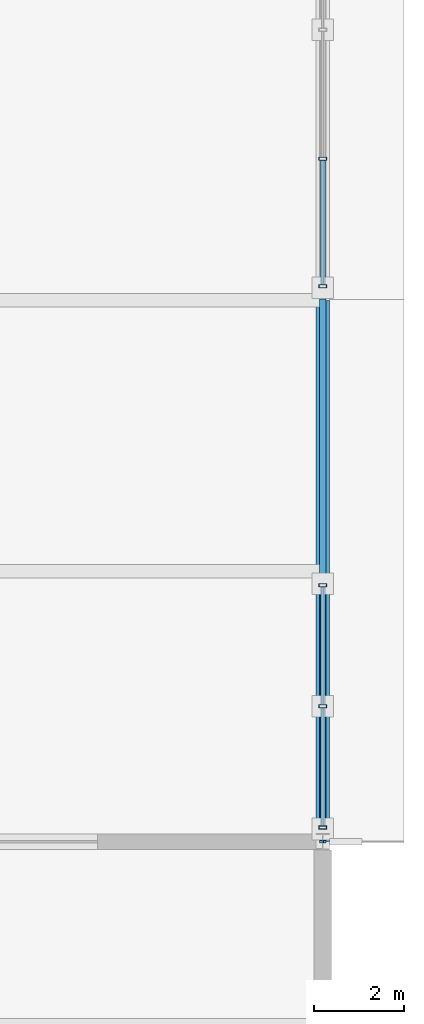
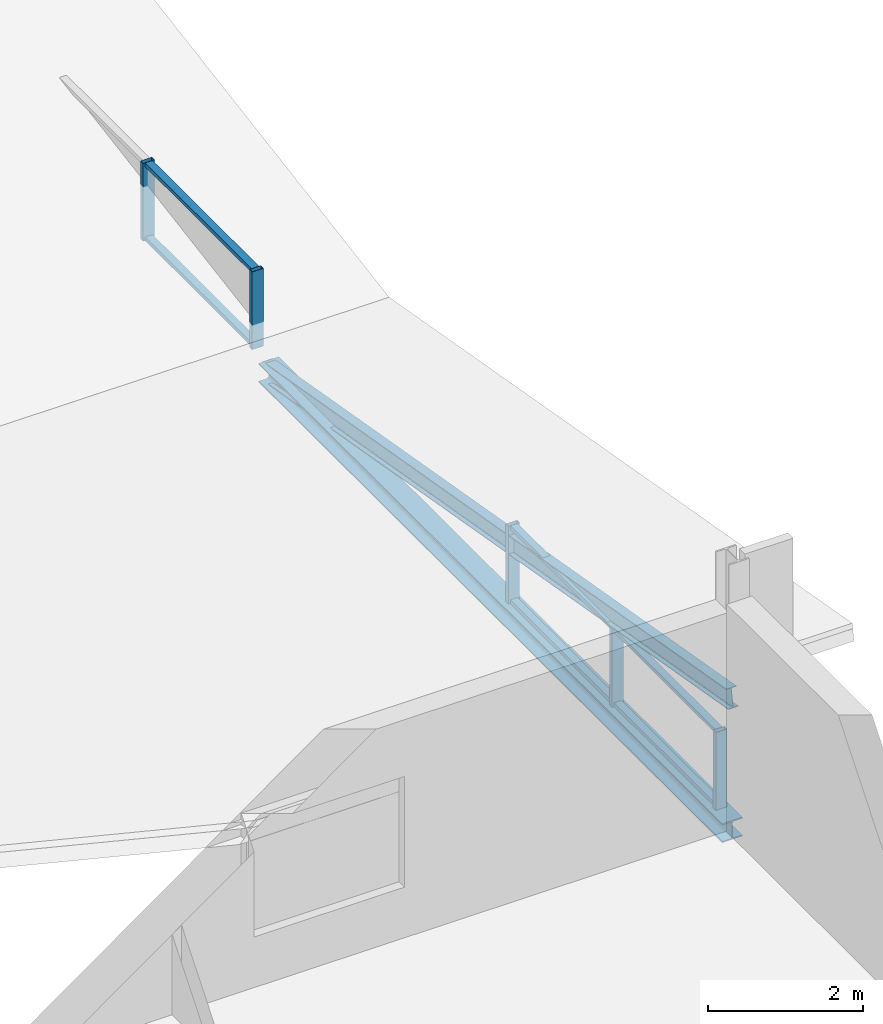
# One storey, part 86 of 117: 12 members, 1 beam, 2 elements without a shape of their own.
"""IFC4 building model written with IfcOpenShell, lengths in metres."""

from ifc_helpers import new_model, si_unit, direction, frame, origin, origin_2d, place, context, subcontext, project, spatial, hollow_rectangle, i_section, extrude, material, material_profile, profile_set, type_object, element, aggregate, save


model = new_model("IFC4")

# Units and contexts
model_context = context("Model", 3, precision=1e-05, world=origin(), true_north=direction((0.0, 1.0)))
body_context = subcontext(model_context, "Body", "Model", "MODEL_VIEW")
ifc_project = project(units=[si_unit("LENGTHUNIT", "METRE"), si_unit("AREAUNIT", "SQUARE_METRE"), si_unit("VOLUMEUNIT", "CUBIC_METRE"), si_unit("PLANEANGLEUNIT", "RADIAN"), si_unit("MASSUNIT", "GRAM", prefix="KILO")], contexts=[model_context])

# Site, building, storey
site_placement = place(None, origin())
site = spatial("IfcSite", under=ifc_project, at=site_placement, CompositionType="ELEMENT")
building_placement = place(site_placement, origin())
building = spatial("IfcBuilding", under=site, at=building_placement, Name="Merenkruunu Market Hall", CompositionType="ELEMENT")
storey_placement = place(building_placement, frame((0.0, 0.0, 10.199951171875)))
storey = spatial("IfcBuildingStorey", under=building, at=storey_placement, Name="L02", CompositionType="ELEMENT", Elevation=10.199951171875)

# Curtain wall, members
ifc_material_1 = material(Name="Powder-coated aluminium", Category="aluminium")
curtain_wall_type = type_object("IfcCurtainWallType", Name="Clerestory Curtain Band CL03", PredefinedType="USERDEFINED", material=ifc_material_1)
curtain_wall_1_placement = place(storey_placement, origin())
curtain_wall_1 = element("IfcCurtainWall", 1, at=curtain_wall_1_placement, inside=storey, type_object=curtain_wall_type, Name="CW-L02-CWM04-233", ObjectType="CLERESTORY_BAND", PredefinedType="USERDEFINED")
ifc_material_profile_1 = material_profile(ifc_material_1, hollow_rectangle(XDim=0.070068359375, YDim=0.169921875, WallThickness=0.0048828125, at=origin_2d()), Name="ALU 70x170x5")
ifc_profile_set_1 = profile_set([ifc_material_profile_1], Name="Powder-coated aluminium")
member_type_1 = type_object("IfcMemberType", Name="Curtain Wall Mullion CWM04", PredefinedType="MULLION", material=ifc_profile_set_1)
member_1_placement = place(storey_placement, frame((192.0, 45.284912109375, 0.02001953125), z_axis=(0.0, 0.0, 1.0), x_axis=(0.0, -1.0, 0.0)))
member_1 = element("IfcMember", 2, at=member_1_placement, type_object=member_type_1, Name="CL03 mullion 1", PredefinedType="MULLION", context=body_context, shape_type="SweptSolid", body=[
    extrude(hollow_rectangle(XDim=0.070068359375, YDim=0.169921875, WallThickness=0.0048828125, at=origin_2d()), origin(), (0.0, 0.0, 1.0), 1.22998046875),
])
member_2_placement = place(storey_placement, frame((192.0, 42.60009765625, 0.02001953125), z_axis=(0.0, 0.0, 1.0), x_axis=(0.0, -1.0, 0.0)))
member_2 = element("IfcMember", 3, at=member_2_placement, type_object=member_type_1, Name="CL03 mullion 2", PredefinedType="MULLION", context=body_context, shape_type="SweptSolid", body=[
    extrude(hollow_rectangle(XDim=0.070068359375, YDim=0.169921875, WallThickness=0.0048828125, at=origin_2d()), origin(), (0.0, 0.0, 1.0), 1.22998046875),
])
member_3_placement = place(storey_placement, frame((192.0, 39.9150390625, 0.02001953125), z_axis=(0.0, 0.0, 1.0), x_axis=(0.0, -1.0, 0.0)))
member_3 = element("IfcMember", 4, at=member_3_placement, type_object=member_type_1, Name="CL03 mullion 3", PredefinedType="MULLION", context=body_context, shape_type="SweptSolid", body=[
    extrude(hollow_rectangle(XDim=0.070068359375, YDim=0.169921875, WallThickness=0.0048828125, at=origin_2d()), origin(), (0.0, 0.0, 1.0), 1.22998046875),
])

curtain_wall_2_placement = place(storey_placement, origin())
curtain_wall_2 = element("IfcCurtainWall", 5, at=curtain_wall_2_placement, inside=storey, type_object=curtain_wall_type, Name="CW-L02-CWM04-235", ObjectType="CLERESTORY_BAND", PredefinedType="USERDEFINED")
member_4_placement = place(storey_placement, frame((192.0, 54.739990234375, 0.02001953125), z_axis=(0.0, 0.0, 1.0), x_axis=(0.0, -1.0, 0.0)))
member_4 = element("IfcMember", 6, at=member_4_placement, type_object=member_type_1, Name="CL03 mullion 4", PredefinedType="MULLION", context=body_context, shape_type="SweptSolid", body=[
    extrude(hollow_rectangle(XDim=0.070068359375, YDim=0.169921875, WallThickness=0.0048828125, at=origin_2d()), origin(), (0.0, 0.0, 1.0), 1.22998046875),
])
member_5_placement = place(storey_placement, frame((192.0, 51.9150390625, 0.02001953125), z_axis=(0.0, 0.0, 1.0), x_axis=(0.0, -1.0, 0.0)))
member_5 = element("IfcMember", 7, at=member_5_placement, type_object=member_type_1, Name="CL03 mullion 5", PredefinedType="MULLION", context=body_context, shape_type="SweptSolid", body=[
    extrude(hollow_rectangle(XDim=0.070068359375, YDim=0.169921875, WallThickness=0.0048828125, at=origin_2d()), origin(), (0.0, 0.0, 1.0), 1.22998046875),
])

# Member
ifc_material_profile_2 = material_profile(ifc_material_1, hollow_rectangle(XDim=0.06005859375, YDim=0.110107421875, WallThickness=0.00390625, at=origin_2d()), Name="ALU 60x110x4")
ifc_profile_set_2 = profile_set([ifc_material_profile_2], Name="Powder-coated aluminium")
member_type_2 = type_object("IfcMemberType", Name="Curtain Wall Transom CWT03", PredefinedType="USERDEFINED", material=ifc_profile_set_2)
member_6_placement = place(storey_placement, frame((192.0, 45.25, 0.050048828125), z_axis=(0.0, -1.0, 0.0), x_axis=(0.0, 0.0, 1.0)))
member_6 = element("IfcMember", 8, at=member_6_placement, type_object=member_type_2, Name="CL03 transom 1.1", ObjectType="TRANSOM", PredefinedType="USERDEFINED", context=body_context, shape_type="SweptSolid", body=[
    extrude(hollow_rectangle(XDim=0.06005859375, YDim=0.110107421875, WallThickness=0.00390625, at=origin_2d()), origin(), (0.0, 0.0, 1.0), 2.614990234375),
])

member_7_placement = place(storey_placement, frame((192.0, 45.25, 1.219970703125), z_axis=(0.0, -1.0, 0.0), x_axis=(0.0, 0.0, 1.0)))
member_7 = element("IfcMember", 9, at=member_7_placement, type_object=member_type_2, Name="CL03 transom 1.2", ObjectType="TRANSOM", PredefinedType="USERDEFINED", context=body_context, shape_type="SweptSolid", body=[
    extrude(hollow_rectangle(XDim=0.06005859375, YDim=0.110107421875, WallThickness=0.00390625, at=origin_2d()), origin(), (0.0, 0.0, 1.0), 2.614990234375),
])

member_8_placement = place(storey_placement, frame((192.0, 42.56494140625, 0.050048828125), z_axis=(0.0, -1.0, 0.0), x_axis=(0.0, 0.0, 1.0)))
member_8 = element("IfcMember", 10, at=member_8_placement, type_object=member_type_2, Name="CL03 transom 2.1", ObjectType="TRANSOM", PredefinedType="USERDEFINED", context=body_context, shape_type="SweptSolid", body=[
    extrude(hollow_rectangle(XDim=0.06005859375, YDim=0.110107421875, WallThickness=0.00390625, at=origin_2d()), origin(), (0.0, 0.0, 1.0), 2.614990234375),
])

member_9_placement = place(storey_placement, frame((192.0, 42.56494140625, 1.219970703125), z_axis=(0.0, -1.0, 0.0), x_axis=(0.0, 0.0, 1.0)))
member_9 = element("IfcMember", 11, at=member_9_placement, type_object=member_type_2, Name="CL03 transom 2.2", ObjectType="TRANSOM", PredefinedType="USERDEFINED", context=body_context, shape_type="SweptSolid", body=[
    extrude(hollow_rectangle(XDim=0.06005859375, YDim=0.110107421875, WallThickness=0.00390625, at=origin_2d()), origin(), (0.0, 0.0, 1.0), 2.614990234375),
])

aggregate(curtain_wall_1, [member_1, member_2, member_3, member_6, member_7, member_8, member_9])

member_10_placement = place(storey_placement, frame((192.0, 54.705078125, 0.050048828125), z_axis=(0.0, -1.0, 0.0), x_axis=(0.0, 0.0, 1.0)))
member_10 = element("IfcMember", 12, at=member_10_placement, type_object=member_type_2, Name="CL03 transom 4.1", ObjectType="TRANSOM", PredefinedType="USERDEFINED", context=body_context, shape_type="SweptSolid", body=[
    extrude(hollow_rectangle(XDim=0.06005859375, YDim=0.110107421875, WallThickness=0.00390625, at=origin_2d()), origin(), (0.0, 0.0, 1.0), 2.755126953125),
])

member_11_placement = place(storey_placement, frame((192.0, 54.705078125, 1.219970703125), z_axis=(0.0, -1.0, 0.0), x_axis=(0.0, 0.0, 1.0)))
member_11 = element("IfcMember", 13, at=member_11_placement, type_object=member_type_2, Name="CL03 transom 4.2", ObjectType="TRANSOM", PredefinedType="USERDEFINED", context=body_context, shape_type="SweptSolid", body=[
    extrude(hollow_rectangle(XDim=0.06005859375, YDim=0.110107421875, WallThickness=0.00390625, at=origin_2d()), origin(), (0.0, 0.0, 1.0), 2.755126953125),
])

aggregate(curtain_wall_2, [member_4, member_5, member_10, member_11])

# Beam
ifc_material_2 = material(Name="Steel S355J2", Category="steel")
ifc_material_profile_3 = material_profile(ifc_material_2, i_section(OverallWidth=0.300048828125, OverallDepth=0.300048828125, WebThickness=0.010986328125, FlangeThickness=0.01904296875, FilletRadius=0.027099609375, at=origin_2d()), Name="HEB 300")
ifc_profile_set_3 = profile_set([ifc_material_profile_3], Name="Steel S355J2")
beam_type = type_object("IfcBeamType", Name="Primary Floor Girder B05", PredefinedType="BEAM", material=ifc_profile_set_3)
beam_placement = place(storey_placement, frame((192.0, 39.60009765625, -0.14990234375), z_axis=(0.0, 1.0, 0.0), x_axis=(-1.0, 0.0, 0.0)))
element("IfcBeam", 14, at=beam_placement, inside=storey, type_object=beam_type, Name="BM-L02-B05-1062", PredefinedType="BEAM", context=body_context, shape_type="SweptSolid", body=[
    extrude(i_section(OverallWidth=0.300048828125, OverallDepth=0.300048828125, WebThickness=0.010986328125, FlangeThickness=0.01904296875, FilletRadius=0.027099609375, at=origin_2d()), origin(), (0.0, 0.0, 1.0), 12.0),
])

# Member
ifc_material_3 = material(Name="Steel S355ML", Category="steel")
ifc_material_profile_4 = material_profile(ifc_material_3, i_section(OverallWidth=0.14990234375, OverallDepth=0.300048828125, WebThickness=0.007080078125, FlangeThickness=0.0107421875, FilletRadius=0.014892578125, at=origin_2d()), Name="IPE 300")
ifc_profile_set_4 = profile_set([ifc_material_profile_4], Name="Steel S355ML")
member_type_3 = type_object("IfcMemberType", Name="Roof Purlin Rafter PR01", PredefinedType="PURLIN", material=ifc_profile_set_4)
member_12_placement = place(storey_placement, frame((192.0, 51.60009765625, -0.159912109375), z_axis=(0.0, -0.985032508815, 0.17236866472), x_axis=(1.0, 0.0, 0.0)))
element("IfcMember", 15, at=member_12_placement, inside=storey, type_object=member_type_3, Name="MEM-V3BF-RS-192", PredefinedType="PURLIN", context=body_context, shape_type="SweptSolid", body=[
    extrude(i_section(OverallWidth=0.14990234375, OverallDepth=0.300048828125, WebThickness=0.007080078125, FlangeThickness=0.0107421875, FilletRadius=0.014892578125, at=origin_2d()), origin(), (0.0, 0.0, 1.0), 12.182373046875),
])

save(model, "model.ifc")
